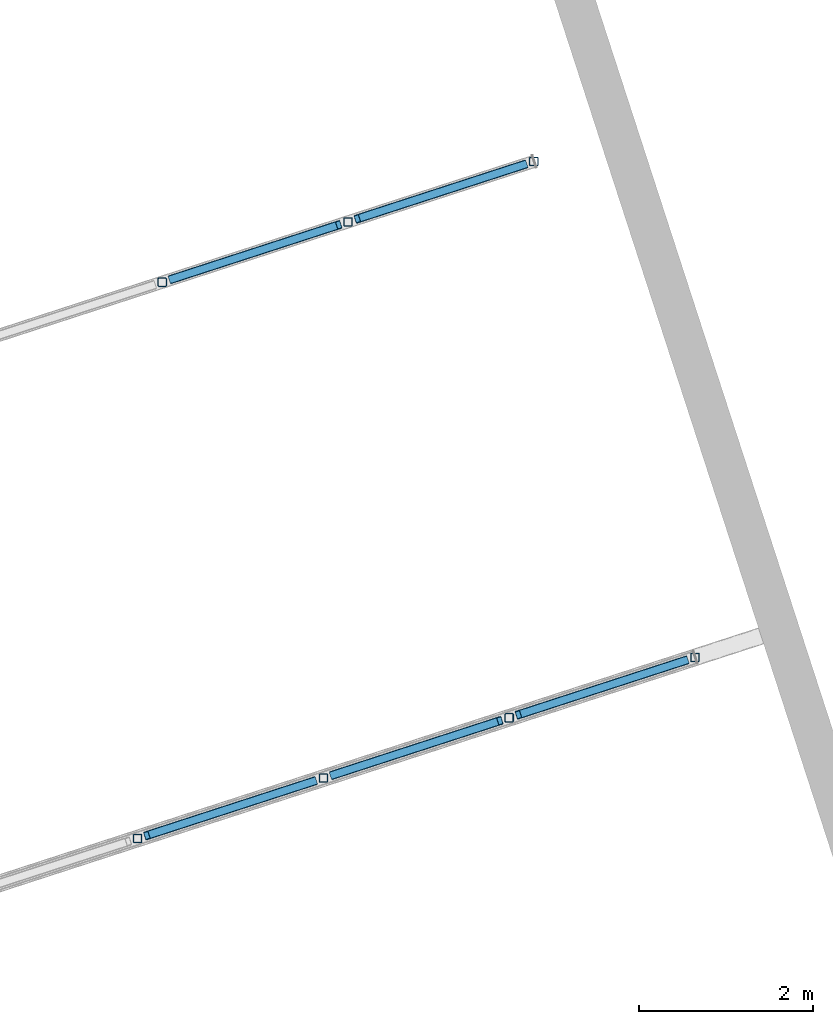
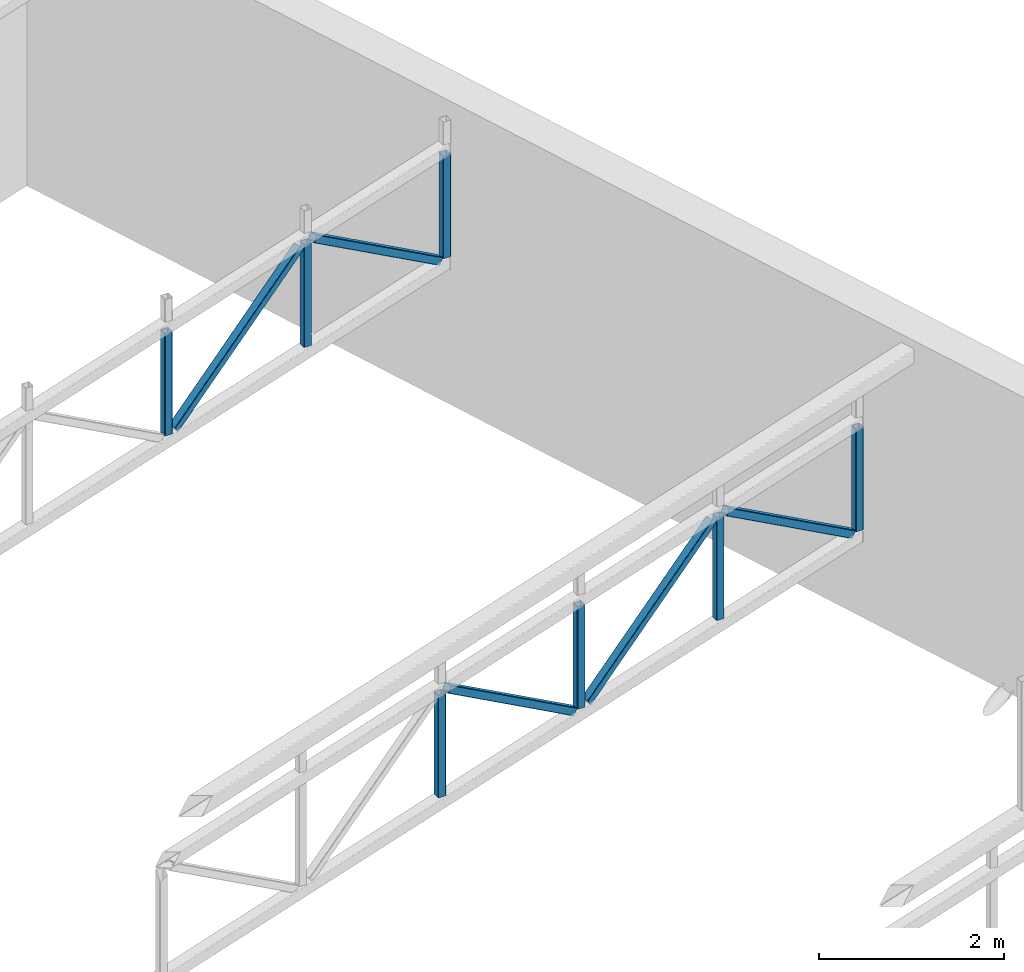
# One storey, part 25 of 81: 12 members.
"""IFC4 building model written with IfcOpenShell, lengths in metres."""

import ifcopenshell
import ifcopenshell.guid

model = None  # the IFC model being written
_history = None  # IfcOwnerHistory: only IFC2X3 demands one
_inside = {}  # id of a spatial element -> (the spatial element, [elements in it])
_under = {}  # id of a project, library or spatial element -> (it, [spatial elements below it])
_declared = {}  # id of a project -> (the project, [libraries it declares])
_typed = {}  # id of a type object -> (the type object, [elements of that type])
_made_of = {}  # id of a material, layer set ... -> (it, [elements and type objects made of it])


def new_model(schema):
    """Start an empty IFC model of exactly this schema.

    Asked for "IFC4X3", IfcOpenShell would pick the latest addendum, in which some entities
    have other attributes; the version numbers below select the first issue.
    IFC2X3 requires an IfcOwnerHistory on every rooted entity: one is made here for all.
    """
    global model, _history
    if schema == "IFC4X3":
        model = ifcopenshell.file(schema_version=(4, 3, 0, 0))
    else:
        model = ifcopenshell.file(schema=schema)
    _inside.clear()
    _under.clear()
    _declared.clear()
    _typed.clear()
    _made_of.clear()
    _history = None
    if model.schema == "IFC2X3":
        org = make("IfcOrganization", Name="unknown")
        user = make(
            "IfcPersonAndOrganization",
            ThePerson=make("IfcPerson", FamilyName="unknown"),
            TheOrganization=org,
        )
        app = make(
            "IfcApplication",
            ApplicationDeveloper=org,
            Version="unknown",
            ApplicationFullName="unknown",
            ApplicationIdentifier="unknown",
        )
        _history = make(
            "IfcOwnerHistory",
            OwningUser=user,
            OwningApplication=app,
            ChangeAction="ADDED",
            CreationDate=0,
        )
    return model


def make(cls, **values):
    """One entity of the class cls with the attributes given. An attribute that is None is left unset."""
    return model.create_entity(
        cls, **{name: value for name, value in values.items() if value is not None}
    )


def rooted(cls, **values):
    """An entity with a GlobalId (a new one), such as an element, a storey or a relation."""
    return make(cls, GlobalId=ifcopenshell.guid.new(), OwnerHistory=_history, **values)


def si_unit(unit_type, name, prefix=None):
    """IfcSIUnit, for example si_unit("LENGTHUNIT", "METRE", prefix="MILLI")."""
    return make("IfcSIUnit", UnitType=unit_type, Prefix=prefix, Name=name)


def assignment(units):
    """IfcUnitAssignment: the units of a project."""
    return None if units is None else make("IfcUnitAssignment", Units=units)


def point(xyz):
    """IfcCartesianPoint."""
    return None if xyz is None else make("IfcCartesianPoint", Coordinates=xyz)


def direction(xyz):
    """IfcDirection."""
    return None if xyz is None else make("IfcDirection", DirectionRatios=xyz)


def frame(location, z_axis=None, x_axis=None):
    """IfcAxis2Placement3D, a coordinate frame: its origin and axes. An axis left out is left unset."""
    return make(
        "IfcAxis2Placement3D",
        Location=point(location),
        Axis=direction(z_axis),
        RefDirection=direction(x_axis),
    )


def frame_2d(location, x_axis=None):
    """IfcAxis2Placement2D, a coordinate frame in the plane: its origin and x axis."""
    return make(
        "IfcAxis2Placement2D", Location=point(location), RefDirection=direction(x_axis)
    )


def origin():
    """The frame at (0, 0, 0) with its axes left unset."""
    return frame((0.0, 0.0, 0.0))


def origin_2d():
    """The frame at (0, 0) in the plane with its x axis left unset."""
    return frame_2d((0.0, 0.0))


def place(relative_to, where):
    """IfcLocalPlacement: puts the frame where relative to a parent placement (None: the world)."""
    return make(
        "IfcLocalPlacement", PlacementRelTo=relative_to, RelativePlacement=where
    )


def context(
    kind, dimensions, precision=None, world=None, true_north=None, identifier=None
):
    """IfcGeometricRepresentationContext, for example the 3D "Model" context."""
    return make(
        "IfcGeometricRepresentationContext",
        ContextIdentifier=identifier,
        ContextType=kind,
        CoordinateSpaceDimension=dimensions,
        Precision=precision,
        WorldCoordinateSystem=world,
        TrueNorth=true_north,
    )


def subcontext(parent, identifier, kind, view, scale=None):
    """IfcGeometricRepresentationSubContext, for example "Body" below "Model"."""
    return make(
        "IfcGeometricRepresentationSubContext",
        ContextIdentifier=identifier,
        ContextType=kind,
        ParentContext=parent,
        TargetScale=scale,
        TargetView=view,
    )


def project(units=None, contexts=None):
    """IfcProject with its units and contexts."""
    return rooted(
        "IfcProject",
        Name="project",
        RepresentationContexts=contexts,
        UnitsInContext=assignment(units),
    )


def spatial(cls, under=None, at=None, **own):
    """A site, building, storey or space (cls), placed at a placement, below another one or the project."""
    s = rooted(cls, ObjectPlacement=at, **own)
    if under is not None:
        _under.setdefault(under.id(), (under, []))[1].append(s)
    return s


def profile(cls, at=None, kind="AREA", **sizes):
    """A parametric profile (cls). Its sizes go by their IFC names, for example OverallWidth=200.0."""
    return make(cls, ProfileType=kind, Position=at, **sizes)


def hollow_rectangle(**sizes):
    """IfcRectangleHollowProfileDef."""
    return profile("IfcRectangleHollowProfileDef", **sizes)


def extrude(swept, where, along, depth):
    """IfcExtrudedAreaSolid: the profile swept, set in the frame where, extruded along a direction by depth."""
    return make(
        "IfcExtrudedAreaSolid",
        SweptArea=swept,
        Position=where,
        ExtrudedDirection=direction(along),
        Depth=depth,
    )


def shape(context_of_items, identifier, shape_type, items):
    """IfcShapeRepresentation: the items that make up one representation, for example the "Body"."""
    return make(
        "IfcShapeRepresentation",
        ContextOfItems=context_of_items,
        RepresentationIdentifier=identifier,
        RepresentationType=shape_type,
        Items=items,
    )


def material(Name=None, Category=None):
    """IfcMaterial."""
    return make("IfcMaterial", Name=Name, Category=Category)


def material_profile(
    of_material, cross_section, Name=None, Category=None, Priority=None
):
    """IfcMaterialProfile: a cross section and its material."""
    return make(
        "IfcMaterialProfile",
        Name=Name,
        Material=of_material,
        Profile=cross_section,
        Priority=Priority,
        Category=Category,
    )


def profile_set(profiles, Name=None, composite=None):
    """IfcMaterialProfileSet."""
    return make(
        "IfcMaterialProfileSet",
        Name=Name,
        MaterialProfiles=profiles,
        CompositeProfile=composite,
    )


def made_of(thing, what):
    """Note that an element or type object is made of a material, layer set ...; save() writes the relation."""
    if what is not None:
        _made_of.setdefault(what.id(), (what, []))[1].append(thing)
    return thing


def type_object(cls, material=None, **own):
    """A type object (cls), such as IfcWallType, which elements share."""
    return made_of(rooted(cls, **own), material)


def element(
    cls,
    number,
    at=None,
    inside=None,
    cuts=None,
    type_object=None,
    material=None,
    context=None,
    identifier="Body",
    shape_type=None,
    held_by="IfcProductDefinitionShape",
    body=None,
    shapes=None,
    **own,
):
    """One element of the class cls, such as IfcWall. Its Tag is "e" and its number.

    at: its placement. inside: the storey or other place that contains it. cuts: it is an
    opening in that element (IfcRelVoidsElement). A single representation is given by context,
    identifier, shape_type and body (its items); several are given by shapes. held_by: the class
    of the entity that holds the representations. save() writes the other relations.
    """
    e = rooted(cls, Tag="e%d" % number, ObjectPlacement=at, **own)
    if body is not None:
        shapes = [shape(context, identifier, shape_type, body)]
    if shapes is not None:
        e.Representation = make(held_by, Representations=shapes)
    if inside is not None:
        _inside.setdefault(inside.id(), (inside, []))[1].append(e)
    if cuts is not None:
        rooted(
            "IfcRelVoidsElement", RelatingBuildingElement=cuts, RelatedOpeningElement=e
        )
    if type_object is not None:
        _typed.setdefault(type_object.id(), (type_object, []))[1].append(e)
    return made_of(e, material)


def aggregate(whole, parts):
    """IfcRelAggregates: a whole, such as a stair, and the parts it consists of."""
    return rooted("IfcRelAggregates", RelatingObject=whole, RelatedObjects=parts)


def save(model, path):
    """Write the relations noted so far, then the file.

    IfcRelAggregates (storeys below a building ...), IfcRelContainedInSpatialStructure (elements
    in a storey), IfcRelDefinesByType, IfcRelAssociatesMaterial and IfcRelDeclares: one each for
    every whole, place, type object, material and project.
    """
    for whole, parts in _under.values():
        aggregate(whole, parts)
    for where, things in _inside.values():
        rooted(
            "IfcRelContainedInSpatialStructure",
            RelatedElements=things,
            RelatingStructure=where,
        )
    for kind, things in _typed.values():
        rooted("IfcRelDefinesByType", RelatedObjects=things, RelatingType=kind)
    for what, things in _made_of.values():
        rooted("IfcRelAssociatesMaterial", RelatedObjects=things, RelatingMaterial=what)
    for by, libraries in _declared.values():
        rooted("IfcRelDeclares", RelatingContext=by, RelatedDefinitions=libraries)
    model.write(path)


model = new_model("IFC4")

# Units and contexts
model_context = context("Model", 3, precision=1e-05, world=origin(), true_north=direction((0.0, 1.0)))
body_context = subcontext(model_context, "Body", "Model", "MODEL_VIEW")
ifc_project = project(units=[si_unit("LENGTHUNIT", "METRE"), si_unit("AREAUNIT", "SQUARE_METRE"), si_unit("VOLUMEUNIT", "CUBIC_METRE"), si_unit("PLANEANGLEUNIT", "RADIAN"), si_unit("MASSUNIT", "GRAM", prefix="KILO")], contexts=[model_context])

# Site, building, storey
site_placement = place(None, origin())
site = spatial("IfcSite", under=ifc_project, at=site_placement, CompositionType="ELEMENT")
building_placement = place(site_placement, origin())
building = spatial("IfcBuilding", under=site, at=building_placement, Name="Tuart Plaza Theatre", CompositionType="ELEMENT")
storey_placement = place(building_placement, frame((0.0, 0.0, 17.5)))
storey = spatial("IfcBuildingStorey", under=building, at=storey_placement, Name="L04", CompositionType="ELEMENT", Elevation=17.5)

# Members
ifc_material_1 = material(Name="Steel Grade C350L0", Category="steel")
ifc_material_profile_1 = material_profile(ifc_material_1, hollow_rectangle(XDim=0.10009765625, YDim=0.10009765625, WallThickness=0.006103515625, InnerFilletRadius=0.006103515625, OuterFilletRadius=0.011962890625, at=origin_2d()), Name="100x100x6 SHS")
ifc_profile_set_1 = profile_set([ifc_material_profile_1], Name="Steel Grade C350L0")
member_type_1 = type_object("IfcMemberType", Name="MEMBER Brace 100x100x6 SHS", PredefinedType="BRACE", material=ifc_profile_set_1)
for number, where, z_axis, x_axis, name in (
    (1, (65.663818359375, 62.861328125, 3.24169921875), (0.791072972357, 0.257066093415, -0.555086097847), (-0.309050599318, 0.951045596731, 0.0), "BR128"),
    (2, (67.8017578125, 63.55615234375, 1.8916015625), (0.791093381678, 0.256972345781, 0.555100418815), (-0.308941443477, 0.951081060953, 0.0), "BR129"),
):
    element("IfcMember", number, at=place(storey_placement, frame(where, z_axis=z_axis, x_axis=x_axis)), inside=storey, type_object=member_type_1, Name=name, PredefinedType="BRACE", context=body_context, shape_type="SweptSolid", body=[
        extrude(hollow_rectangle(XDim=0.10009765625, YDim=0.10009765625, WallThickness=0.006103515625, InnerFilletRadius=0.006103515625, OuterFilletRadius=0.011962890625, at=origin_2d()), origin(), (0.0, 0.0, 1.0), 2.43212890625),
    ])
member_placement = place(storey_placement, frame((69.939453125, 64.250732421875, 3.24169921875), z_axis=(0.7911105294, 0.257045682034, -0.555042023292), x_axis=(-0.309015134011, 0.951057120762, 0.0)))
element("IfcMember", 3, at=member_placement, inside=storey, type_object=member_type_1, Name="BR130", PredefinedType="BRACE", context=body_context, shape_type="SweptSolid", body=[
    extrude(hollow_rectangle(XDim=0.10009765625, YDim=0.10009765625, WallThickness=0.006103515625, InnerFilletRadius=0.006103515625, OuterFilletRadius=0.011962890625, at=origin_2d()), origin(), (0.0, 0.0, 1.0), 2.432373046875),
])
for number, where, z_axis, x_axis, name in (
    (4, (65.947509765625, 69.262451171875, 2.683837890625), (0.791137461797, 0.256986664408, 0.555030963872), (-0.308941443477, 0.951081060953, 0.0), "BR141"),
    (5, (68.08544921875, 69.95703125, 4.03369140625), (0.791117049064, 0.257080416527, -0.5550166431), (-0.309050599318, 0.951045596731, 0.0), "BR142"),
):
    element("IfcMember", number, at=place(storey_placement, frame(where, z_axis=z_axis, x_axis=x_axis)), inside=storey, type_object=member_type_1, Name=name, PredefinedType="BRACE", context=body_context, shape_type="SweptSolid", body=[
        extrude(hollow_rectangle(XDim=0.10009765625, YDim=0.10009765625, WallThickness=0.006103515625, InnerFilletRadius=0.006103515625, OuterFilletRadius=0.011962890625, at=origin_2d()), origin(), (0.0, 0.0, 1.0), 2.43212890625),
    ])
ifc_material_2 = material(Name="Steel Grade C350L0", Category="steel")
ifc_material_profile_2 = material_profile(ifc_material_2, hollow_rectangle(XDim=0.10009765625, YDim=0.10009765625, WallThickness=0.006103515625, InnerFilletRadius=0.006103515625, OuterFilletRadius=0.011962890625, at=origin_2d()), Name="100x100x6 SHS")
ifc_profile_set_2 = profile_set([ifc_material_profile_2], Name="Steel Grade C350L0")
member_type_2 = type_object("IfcMemberType", Name="MEMBER Post 100x100x6 SHS", PredefinedType="POST", material=ifc_profile_set_2)
for number, where, z_axis, x_axis, name in (
    (6, (65.556884765625, 62.82666015625, 1.8916015625), (0.0, 0.0, 1.0), (1.0, 0.0, 0.0), "PO144"),
    (7, (67.69482421875, 63.521240234375, 1.8916015625), (0.0, 0.0, 1.0), (1.0, 0.0, 0.0), "PO145"),
    (8, (69.832763671875, 64.216064453125, 1.8916015625), (0.0, 0.0, 1.0), (1.0, 0.0, 0.0), "PO146"),
    (9, (71.970458984375, 64.91064453125, 1.8916015625), (0.0, 0.0, 1.0), (1.0, 0.0, 0.0), "PO147"),
):
    element("IfcMember", number, at=place(storey_placement, frame(where, z_axis=z_axis, x_axis=x_axis)), inside=storey, type_object=member_type_2, Name=name, PredefinedType="POST", context=body_context, shape_type="SweptSolid", body=[
        extrude(hollow_rectangle(XDim=0.10009765625, YDim=0.10009765625, WallThickness=0.006103515625, InnerFilletRadius=0.006103515625, OuterFilletRadius=0.011962890625, at=origin_2d()), origin(), (0.0, 0.0, 1.0), 1.35009765625),
    ])
for number, where, z_axis, x_axis, name in (
    (10, (65.840576171875, 69.2275390625, 2.683837890625), (0.0, 0.0, 1.0), (1.0, 0.0, 0.0), "PO171"),
    (11, (67.978515625, 69.92236328125, 2.683837890625), (0.0, 0.0, 1.0), (1.0, 0.0, 0.0), "PO172"),
    (12, (70.116455078125, 70.616943359375, 2.683837890625), (0.0, 0.0, 1.0), (1.0, 0.0, 0.0), "PO173"),
):
    element("IfcMember", number, at=place(storey_placement, frame(where, z_axis=z_axis, x_axis=x_axis)), inside=storey, type_object=member_type_2, Name=name, PredefinedType="POST", context=body_context, shape_type="SweptSolid", body=[
        extrude(hollow_rectangle(XDim=0.10009765625, YDim=0.10009765625, WallThickness=0.006103515625, InnerFilletRadius=0.006103515625, OuterFilletRadius=0.011962890625, at=origin_2d()), origin(), (0.0, 0.0, 1.0), 1.349853515625),
    ])

save(model, "model.ifc")
